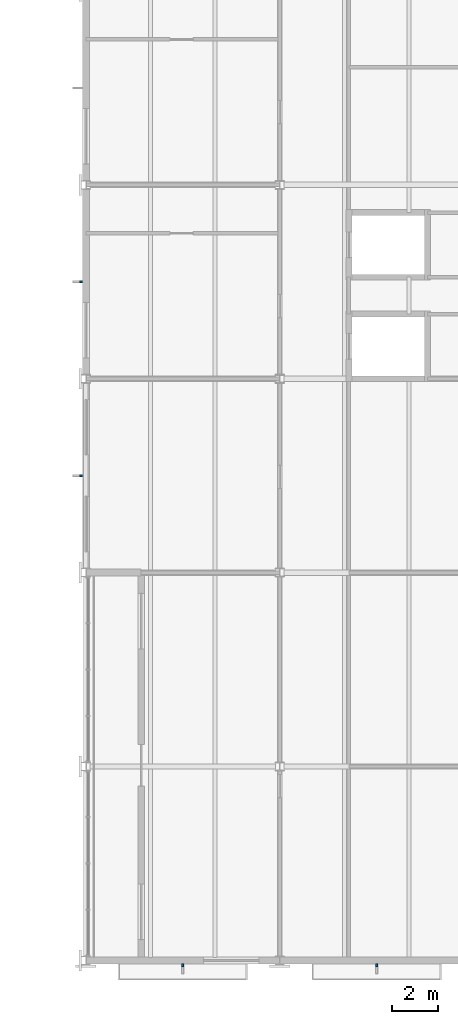
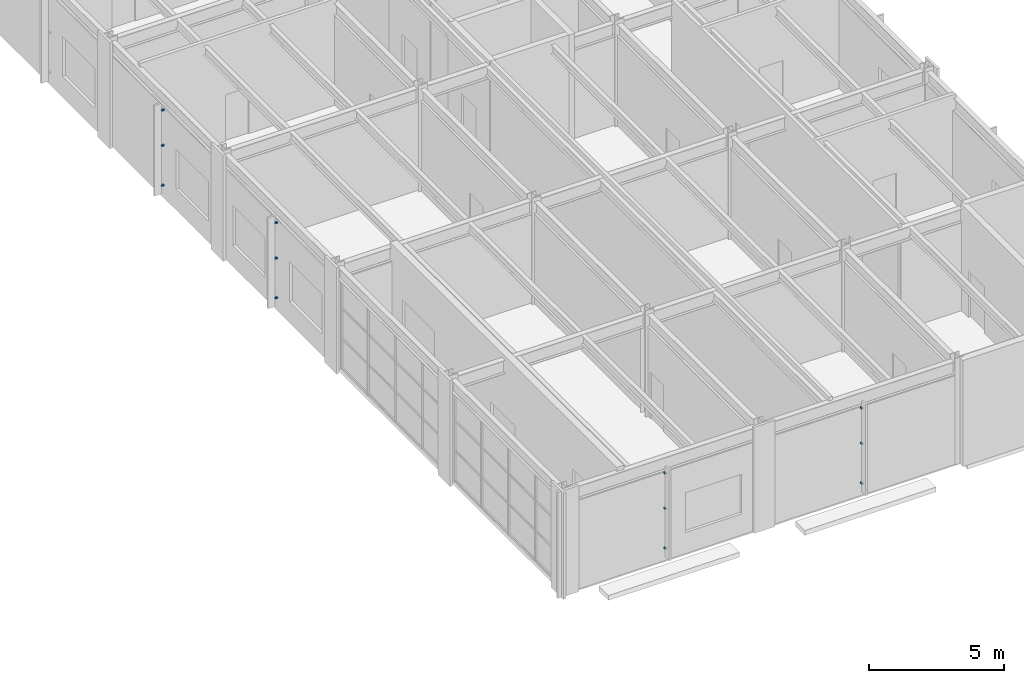
# One storey, part 92 of 127: 12 discrete accessories.
"""IFC4 building model written with IfcOpenShell, lengths in metres."""

from ifc_helpers import new_model, si_unit, direction, frame, origin, origin_2d, place, context, subcontext, project, spatial, rectangle, extrude, material, type_object, element, save


model = new_model("IFC4")

# Units and contexts
model_context = context("Model", 3, precision=1e-05, world=origin(), true_north=direction((0.0, 1.0)))
body_context = subcontext(model_context, "Body", "Model", "MODEL_VIEW")
ifc_project = project(units=[si_unit("LENGTHUNIT", "METRE"), si_unit("AREAUNIT", "SQUARE_METRE"), si_unit("VOLUMEUNIT", "CUBIC_METRE"), si_unit("PLANEANGLEUNIT", "RADIAN"), si_unit("MASSUNIT", "GRAM", prefix="KILO")], contexts=[model_context])

# Site, building, storey
site_placement = place(None, origin())
site = spatial("IfcSite", under=ifc_project, at=site_placement, CompositionType="ELEMENT")
building_placement = place(site_placement, origin())
building = spatial("IfcBuilding", under=site, at=building_placement, Name="Ljudholm Concert House", CompositionType="ELEMENT")
storey_placement = place(building_placement, frame((0.0, 0.0, 5.39990234375)))
storey = spatial("IfcBuildingStorey", under=building, at=storey_placement, Name="L01", CompositionType="ELEMENT", Elevation=5.39990234375)

# Discrete accessories
ifc_material = material(Name="Stainless steel bracket", Category="steel")
discrete_accessory_type = type_object("IfcDiscreteAccessoryType", Name="BRACKET 120", PredefinedType="BRACKET", material=ifc_material)
for number, where, z_axis, x_axis, name in (
    (1, (100.60009765625, 3.7900390625, 0.570068359375), (0.0, 0.0, 1.0), (0.0, -1.0, 0.0), "Fin bracket"),
    (2, (100.60009765625, 3.7900390625, 2.3701171875), (0.0, 0.0, 1.0), (0.0, -1.0, 0.0), "Fin bracket"),
    (3, (100.60009765625, 3.7900390625, 3.969970703125), (0.0, 0.0, 1.0), (0.0, -1.0, 0.0), "Fin bracket"),
    (4, (109.0, 3.7900390625, 0.570068359375), (0.0, 0.0, 1.0), (0.0, -1.0, 0.0), "Fin bracket"),
    (5, (109.0, 3.7900390625, 2.3701171875), (0.0, 0.0, 1.0), (0.0, -1.0, 0.0), "Fin bracket"),
    (6, (109.0, 3.7900390625, 3.969970703125), (0.0, 0.0, 1.0), (0.0, -1.0, 0.0), "Fin bracket"),
    (7, (96.18994140625, 25.0, 0.570068359375), (0.0, 0.0, 1.0), (-1.0, 0.0, 0.0), "Fin bracket"),
    (8, (96.18994140625, 25.0, 2.3701171875), (0.0, 0.0, 1.0), (-1.0, 0.0, 0.0), "Fin bracket"),
    (9, (96.18994140625, 25.0, 3.969970703125), (0.0, 0.0, 1.0), (-1.0, 0.0, 0.0), "Fin bracket"),
    (10, (96.18994140625, 33.39990234375, 0.570068359375), (0.0, 0.0, 1.0), (-1.0, 0.0, 0.0), "Fin bracket"),
    (11, (96.18994140625, 33.39990234375, 2.3701171875), (0.0, 0.0, 1.0), (-1.0, 0.0, 0.0), "Fin bracket"),
    (12, (96.18994140625, 33.39990234375, 3.969970703125), (0.0, 0.0, 1.0), (-1.0, 0.0, 0.0), "Fin bracket"),
):
    element("IfcDiscreteAccessory", number, at=place(storey_placement, frame(where, z_axis=z_axis, x_axis=x_axis)), inside=storey, type_object=discrete_accessory_type, Name=name, PredefinedType="BRACKET", context=body_context, shape_type="SweptSolid", body=[
        extrude(rectangle(XDim=0.1201171875, YDim=0.080078125, at=origin_2d()), origin(), (0.0, 0.0, 1.0), 0.06005859375),
    ])

save(model, "model.ifc")
